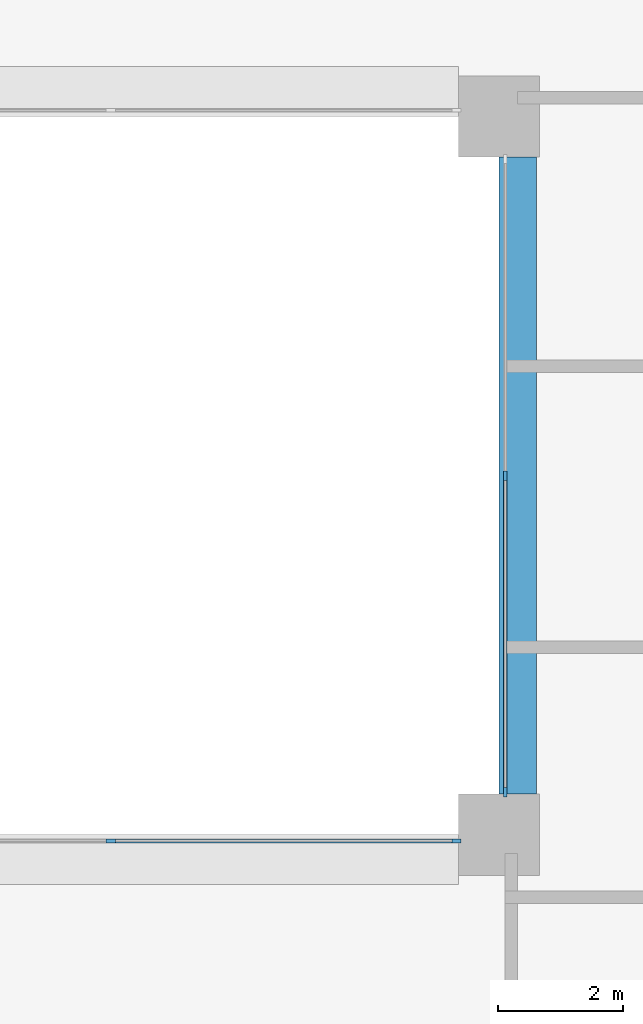
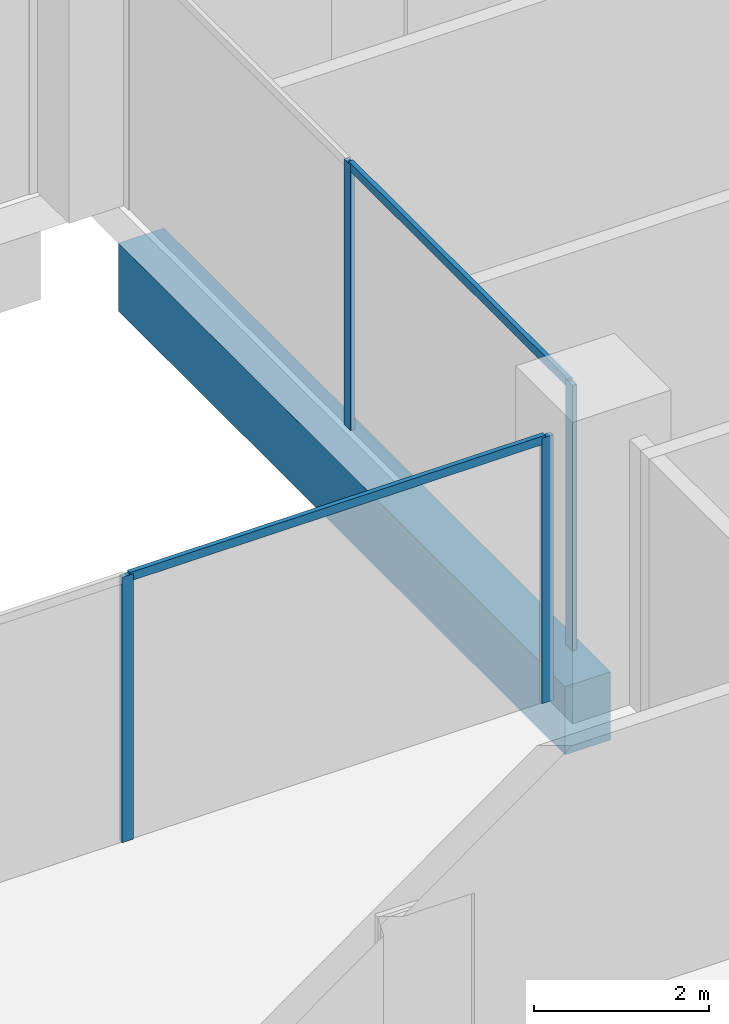
# One storey, part 6 of 20: 6 members, 1 beam, 2 elements without a shape of their own.
"""IFC4 building model written with IfcOpenShell, lengths in metres."""

from ifc_helpers import new_model, si_unit, direction, frame, origin, origin_2d, place, context, subcontext, project, spatial, rectangle, extrude, material, layer, layer_set, material_profile, profile_set, type_object, element, aggregate, save


model = new_model("IFC4")

# Units and contexts
model_context = context("Model", 3, precision=1e-05, world=origin(), true_north=direction((0.0, 1.0)))
body_context = subcontext(model_context, "Body", "Model", "MODEL_VIEW")
ifc_project = project(units=[si_unit("LENGTHUNIT", "METRE"), si_unit("AREAUNIT", "SQUARE_METRE"), si_unit("VOLUMEUNIT", "CUBIC_METRE"), si_unit("PLANEANGLEUNIT", "RADIAN"), si_unit("MASSUNIT", "GRAM", prefix="KILO")], contexts=[model_context])

# Site, building, storey
site_placement = place(None, origin())
site = spatial("IfcSite", under=ifc_project, at=site_placement, CompositionType="ELEMENT")
building_placement = place(site_placement, origin())
building = spatial("IfcBuilding", under=site, at=building_placement, Name="Brigalow Station Residences", CompositionType="ELEMENT")
storey_placement = place(building_placement, frame((0.0, 0.0, 137.10009765625)))
storey = spatial("IfcBuildingStorey", under=building, at=storey_placement, Name="L39", CompositionType="ELEMENT", Elevation=137.10009765625)

# Beam
ifc_material_1 = material(Name="Concrete C65", Category="concrete")
ifc_material_profile_1 = material_profile(ifc_material_1, rectangle(XDim=0.60009765625, YDim=0.949951171875, at=origin_2d()), Name="RC600x950")
ifc_profile_set_1 = profile_set([ifc_material_profile_1], Name="Concrete C65")
beam_type = type_object("IfcBeamType", Name="ATRIUM EDGE GIRDER 600x950 C65", PredefinedType="BEAM", material=ifc_profile_set_1)
beam_placement = place(storey_placement, frame((45.300048828125, 24.64990234375, -0.97509765625), z_axis=(0.0, 1.0, 0.0), x_axis=(-1.0, 0.0, 0.0)))
element("IfcBeam", 1, at=beam_placement, inside=storey, type_object=beam_type, Name="ATRIUM EDGE GIRDER 5 L39", PredefinedType="BEAM", context=body_context, shape_type="SweptSolid", body=[
    extrude(rectangle(XDim=0.60009765625, YDim=0.949951171875, at=origin_2d()), origin(), (0.0, 0.0, 1.0), 10.2001953125),
])

# Curtain wall, members
ifc_material_2 = material(Name="Aluminium", Category="aluminium")
ifc_layer = layer(ifc_material_2, 0.14990234375)
ifc_layer_set = layer_set([ifc_layer], Name="ATRIUM FIRE-RATED GLAZING CURTAIN WALL")
curtain_wall_type = type_object("IfcCurtainWallType", Name="ATRIUM FIRE-RATED GLAZING CURTAIN WALL", PredefinedType="NOTDEFINED", material=ifc_layer_set)
curtain_wall_1_placement = place(storey_placement, origin())
curtain_wall_1 = element("IfcCurtainWall", 2, at=curtain_wall_1_placement, inside=storey, type_object=curtain_wall_type, Name="L39/cw/atrium-S", PredefinedType="NOTDEFINED")
ifc_material_3 = material(Name="Aluminium", Category="aluminium")
ifc_material_profile_2 = material_profile(ifc_material_3, rectangle(XDim=0.06005859375, YDim=0.14990234375, at=origin_2d()), Name="ATRIUM FIRE-RATED GLAZING MULLION 60x150")
ifc_profile_set_2 = profile_set([ifc_material_profile_2], Name="Aluminium")
member_type_1 = type_object("IfcMemberType", Name="ATRIUM FIRE-RATED GLAZING MULLION 60x150", PredefinedType="MULLION", material=ifc_profile_set_2)
member_1_placement = place(storey_placement, frame((38.783203125, 23.89990234375, 0.0), z_axis=(0.0, 0.0, 1.0), x_axis=(0.0, 1.0, 0.0)))
member_1 = element("IfcMember", 3, at=member_1_placement, type_object=member_type_1, Name="L39/cw/atrium-S/M02", PredefinedType="MULLION", context=body_context, shape_type="SweptSolid", body=[
    extrude(rectangle(XDim=0.06005859375, YDim=0.14990234375, at=origin_2d()), origin(), (0.0, 0.0, 1.0), 3.699951171875),
])
member_2_placement = place(storey_placement, frame((44.320068359375, 23.89990234375, 0.0), z_axis=(0.0, 0.0, 1.0), x_axis=(0.0, 1.0, 0.0)))
member_2 = element("IfcMember", 4, at=member_2_placement, type_object=member_type_1, Name="L39/cw/atrium-S/M03", PredefinedType="MULLION", context=body_context, shape_type="SweptSolid", body=[
    extrude(rectangle(XDim=0.06005859375, YDim=0.14990234375, at=origin_2d()), origin(), (0.0, 0.0, 1.0), 3.699951171875),
])

curtain_wall_2_placement = place(storey_placement, origin())
curtain_wall_2 = element("IfcCurtainWall", 5, at=curtain_wall_2_placement, inside=storey, type_object=curtain_wall_type, Name="L39/cw/atrium-E", PredefinedType="NOTDEFINED")
member_3_placement = place(storey_placement, frame((45.10009765625, 24.679931640625, 0.0), z_axis=(0.0, 0.0, 1.0), x_axis=(-1.0, 0.0, 0.0)))
member_3 = element("IfcMember", 6, at=member_3_placement, type_object=member_type_1, Name="L39/cw/atrium-E/M00", PredefinedType="MULLION", context=body_context, shape_type="SweptSolid", body=[
    extrude(rectangle(XDim=0.06005859375, YDim=0.14990234375, at=origin_2d()), origin(), (0.0, 0.0, 1.0), 3.699951171875),
])
member_4_placement = place(storey_placement, frame((45.10009765625, 29.75, 0.0), z_axis=(0.0, 0.0, 1.0), x_axis=(-1.0, 0.0, 0.0)))
member_4 = element("IfcMember", 7, at=member_4_placement, type_object=member_type_1, Name="L39/cw/atrium-E/M01", PredefinedType="MULLION", context=body_context, shape_type="SweptSolid", body=[
    extrude(rectangle(XDim=0.06005859375, YDim=0.14990234375, at=origin_2d()), origin(), (0.0, 0.0, 1.0), 3.699951171875),
])

# Member
ifc_material_4 = material(Name="Aluminium", Category="aluminium")
ifc_material_profile_3 = material_profile(ifc_material_4, rectangle(XDim=0.06005859375, YDim=0.1201171875, at=origin_2d()), Name="ATRIUM FIRE-RATED GLAZING TRANSOM 60x120")
ifc_profile_set_3 = profile_set([ifc_material_profile_3], Name="Aluminium")
member_type_2 = type_object("IfcMemberType", Name="ATRIUM FIRE-RATED GLAZING TRANSOM 60x120", PredefinedType="USERDEFINED", material=ifc_profile_set_3)
member_5_placement = place(storey_placement, frame((38.813232421875, 23.89990234375, 3.669921875), z_axis=(1.0, 0.0, 0.0), x_axis=(0.0, 1.0, 0.0)))
member_5 = element("IfcMember", 8, at=member_5_placement, type_object=member_type_2, Name="L39/cw/atrium-S/T02-00", ObjectType="TRANSOM", PredefinedType="USERDEFINED", context=body_context, shape_type="SweptSolid", body=[
    extrude(rectangle(XDim=0.06005859375, YDim=0.1201171875, at=origin_2d()), origin(), (0.0, 0.0, 1.0), 5.476806640625),
])

aggregate(curtain_wall_1, [member_1, member_2, member_5])

member_6_placement = place(storey_placement, frame((45.10009765625, 24.7099609375, 3.669921875), z_axis=(0.0, 1.0, 0.0), x_axis=(-1.0, 0.0, 0.0)))
member_6 = element("IfcMember", 9, at=member_6_placement, type_object=member_type_2, Name="L39/cw/atrium-E/T00-00", ObjectType="TRANSOM", PredefinedType="USERDEFINED", context=body_context, shape_type="SweptSolid", body=[
    extrude(rectangle(XDim=0.06005859375, YDim=0.1201171875, at=origin_2d()), origin(), (0.0, 0.0, 1.0), 5.010009765625),
])

aggregate(curtain_wall_2, [member_3, member_4, member_6])

save(model, "model.ifc")
